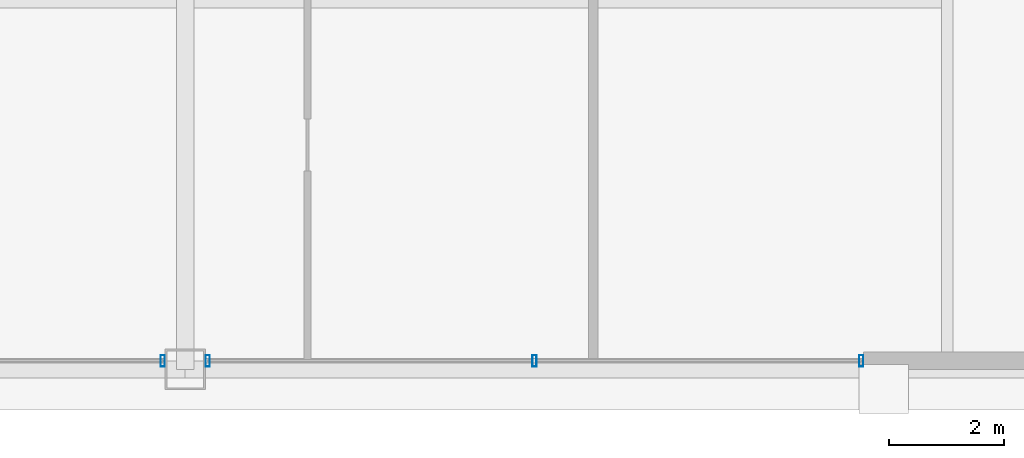
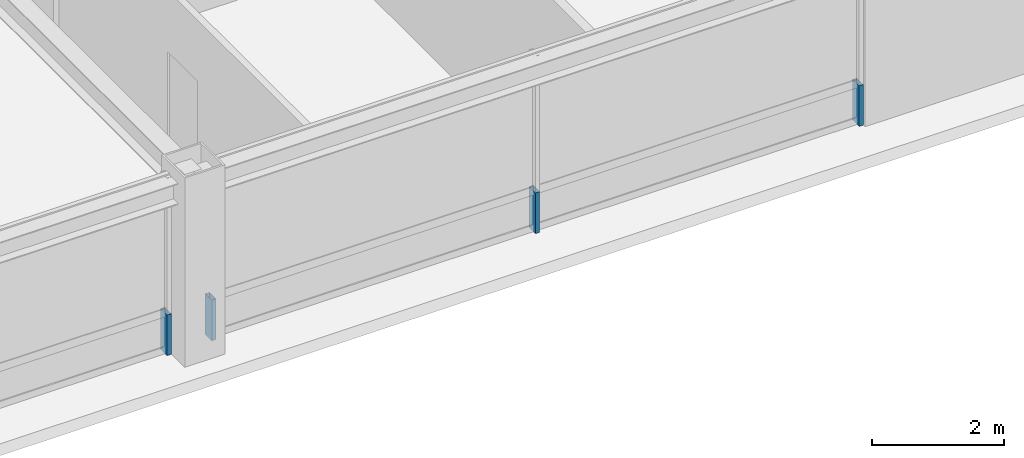
# One storey, part 23 of 35: 4 members, 2 elements without a shape of their own.
"""IFC4 building model written with IfcOpenShell, lengths in metres."""

from ifc_helpers import new_model, si_unit, direction, frame, origin, origin_2d, place, context, subcontext, project, spatial, hollow_rectangle, extrude, source, transform, mapped, material, layer, layer_set, material_profile, profile_set, type_object, element, aggregate, save


model = new_model("IFC4")

# Units and contexts
model_context = context("Model", 3, precision=1e-05, world=origin(), true_north=direction((0.0, 1.0)))
body_context = subcontext(model_context, "Body", "Model", "MODEL_VIEW")
ifc_project = project(units=[si_unit("LENGTHUNIT", "METRE"), si_unit("AREAUNIT", "SQUARE_METRE"), si_unit("VOLUMEUNIT", "CUBIC_METRE"), si_unit("PLANEANGLEUNIT", "RADIAN"), si_unit("MASSUNIT", "GRAM", prefix="KILO"), si_unit("THERMODYNAMICTEMPERATUREUNIT", "KELVIN"), si_unit("POWERUNIT", "WATT")], contexts=[model_context])

# Site, building, storey
site_placement = place(None, origin())
site = spatial("IfcSite", under=ifc_project, at=site_placement, CompositionType="ELEMENT")
building_placement = place(site_placement, origin())
building = spatial("IfcBuilding", under=site, at=building_placement, Name="Yuzanri Waterfront Tower", CompositionType="ELEMENT")
storey_placement = place(building_placement, frame((0.0, 0.0, 332.199951171875)))
storey = spatial("IfcBuildingStorey", under=building, at=storey_placement, Name="L89", CompositionType="ELEMENT", Elevation=332.199951171875)

# Curtain wall, member
ifc_material_1 = material(Name="Anodized Architectural Bronze", Category="metal")
ifc_layer = layer(ifc_material_1, 0.159912109375)
ifc_layer_set = layer_set([ifc_layer], Name="Anodized Architectural Bronze")
curtain_wall_type = type_object("IfcCurtainWallType", Name="Anodized Bronze High-Rise Penthouse High-Wind Unitized Curtain Wall 6900", PredefinedType="NOTDEFINED", material=ifc_layer_set)
curtain_wall_1_placement = place(storey_placement, origin())
curtain_wall_1 = element("IfcCurtainWall", 1, at=curtain_wall_1_placement, inside=storey, type_object=curtain_wall_type, Name="L89 Curtain Wall CW-L89-SL", PredefinedType="NOTDEFINED")
ifc_material_2 = material(Name="Anodized Architectural Bronze", Category="metal")
ifc_material_profile = material_profile(ifc_material_2, hollow_rectangle(XDim=0.074951171875, YDim=0.199951171875, WallThickness=0.00390625, at=origin_2d()), Name="CWM 75x200")
ifc_profile_set = profile_set([ifc_material_profile], Name="Anodized Architectural Bronze")
member_type = type_object("IfcMemberType", Name="Anodized Bronze Primary Curtain-Wall Mullion 75x200", PredefinedType="MULLION", material=ifc_profile_set)
shared_shape = source(origin(), body_context, "Body", "SweptSolid", [
    extrude(hollow_rectangle(XDim=0.074951171875, YDim=0.199951171875, WallThickness=0.00390625, at=origin_2d()), origin(), (0.0, 0.0, 1.0), 0.751953125),
])
member_1_placement = place(storey_placement, frame((36.610107421875, 6.85009765625, 0.0), z_axis=(0.0, 0.0, 1.0), x_axis=(1.0, 0.0, 0.0)))
member_1 = element("IfcMember", 2, at=member_1_placement, type_object=member_type, Name="CW-L89-SL Lower Mullion 02", PredefinedType="MULLION", context=body_context, shape_type="MappedRepresentation", body=[
    mapped(shared_shape, transform((0.0, 0.0, 0.0), scale=1.0)),
])
aggregate(curtain_wall_1, [member_1])

# Curtain wall, members
curtain_wall_2_placement = place(storey_placement, origin())
curtain_wall_2 = element("IfcCurtainWall", 3, at=curtain_wall_2_placement, inside=storey, type_object=curtain_wall_type, Name="L89 Curtain Wall CW-L89-SR", PredefinedType="NOTDEFINED")
member_2_placement = place(storey_placement, frame((37.389892578125, 6.85009765625, 0.0), z_axis=(0.0, 0.0, 1.0), x_axis=(1.0, 0.0, 0.0)))
member_2 = element("IfcMember", 4, at=member_2_placement, type_object=member_type, Name="CW-L89-SR Lower Mullion 00", PredefinedType="MULLION", context=body_context, shape_type="MappedRepresentation", body=[
    mapped(shared_shape, transform((0.0, 0.0, 0.0), scale=1.0)),
])
member_3_placement = place(storey_placement, frame((43.050048828125, 6.85009765625, 0.0), z_axis=(0.0, 0.0, 1.0), x_axis=(1.0, 0.0, 0.0)))
member_3 = element("IfcMember", 5, at=member_3_placement, type_object=member_type, Name="CW-L89-SR Lower Mullion 01", PredefinedType="MULLION", context=body_context, shape_type="MappedRepresentation", body=[
    mapped(shared_shape, transform((0.0, 0.0, 0.0), scale=1.0)),
])
member_4_placement = place(storey_placement, frame((48.7099609375, 6.85009765625, 0.0), z_axis=(0.0, 0.0, 1.0), x_axis=(1.0, 0.0, 0.0)))
member_4 = element("IfcMember", 6, at=member_4_placement, type_object=member_type, Name="CW-L89-SR Lower Mullion 02", PredefinedType="MULLION", context=body_context, shape_type="MappedRepresentation", body=[
    mapped(shared_shape, transform((0.0, 0.0, 0.0), scale=1.0)),
])
aggregate(curtain_wall_2, [member_2, member_3, member_4])

save(model, "model.ifc")
